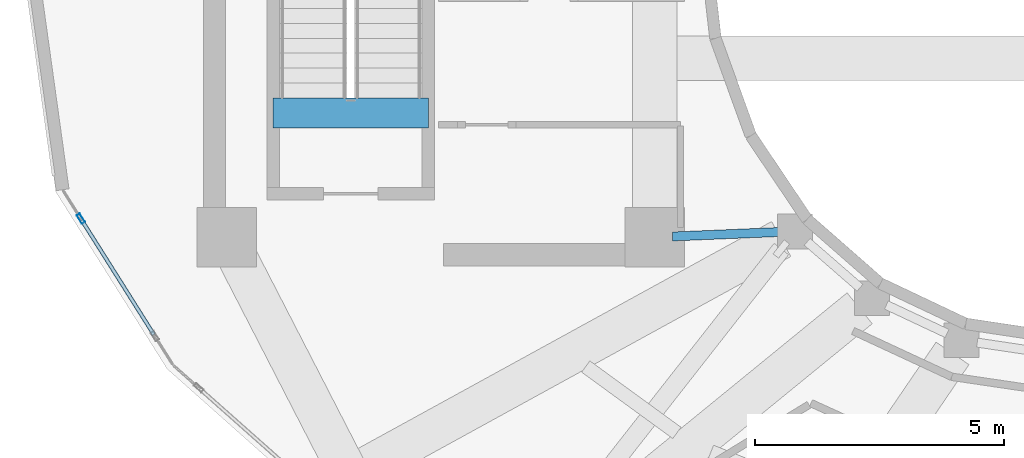
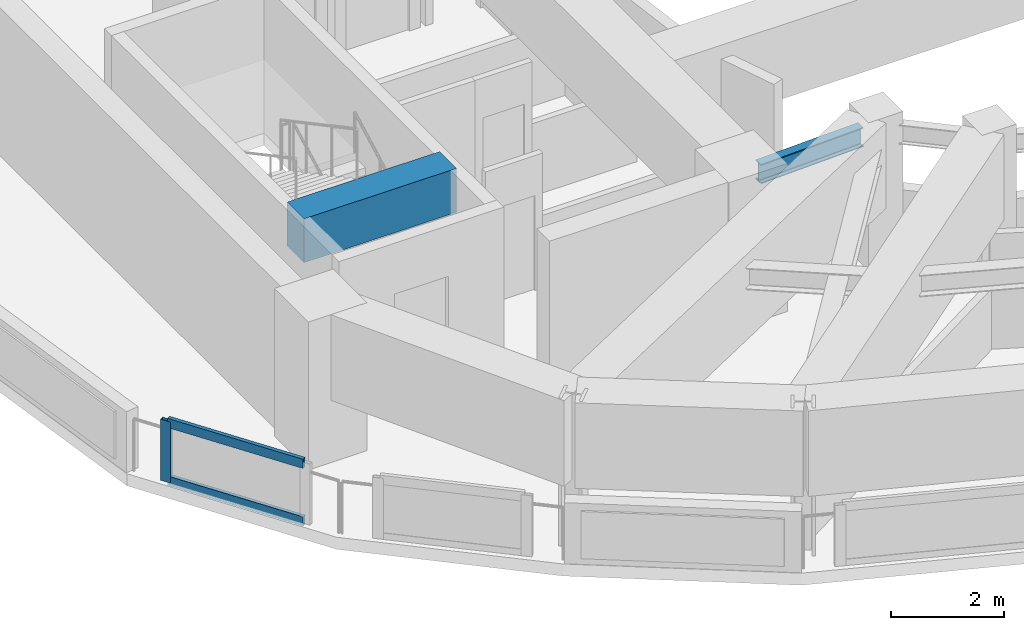
# One storey, part 3 of 18: 3 members, 2 beams, 1 element without a shape of its own.
"""IFC4 building model written with IfcOpenShell, lengths in metres."""

from ifc_helpers import new_model, si_unit, direction, frame, origin, origin_2d, place, context, subcontext, project, spatial, rectangle, hollow_rectangle, i_section, extrude, material, layer, layer_set, material_profile, profile_set, type_object, element, aggregate, save


model = new_model("IFC4")

# Units and contexts
model_context = context("Model", 3, precision=1e-05, world=origin(), true_north=direction((0.0, 1.0)))
body_context = subcontext(model_context, "Body", "Model", "MODEL_VIEW")
ifc_project = project(units=[si_unit("LENGTHUNIT", "METRE"), si_unit("AREAUNIT", "SQUARE_METRE"), si_unit("VOLUMEUNIT", "CUBIC_METRE"), si_unit("PLANEANGLEUNIT", "RADIAN"), si_unit("MASSUNIT", "GRAM", prefix="KILO")], contexts=[model_context])

# Site, building, storey
site_placement = place(None, origin())
site = spatial("IfcSite", under=ifc_project, at=site_placement, CompositionType="ELEMENT")
building_placement = place(site_placement, origin())
building = spatial("IfcBuilding", under=site, at=building_placement, Name="Solvane Sanctuary Tower", CompositionType="ELEMENT")
storey_placement = place(building_placement, frame((0.0, 0.0, 263.60009765625)))
storey = spatial("IfcBuildingStorey", under=building, at=storey_placement, Name="L80", CompositionType="ELEMENT", Elevation=263.60009765625)

# Beams
ifc_material_1 = material(Name="Concrete C70/85", Category="concrete")
ifc_material_profile_1 = material_profile(ifc_material_1, rectangle(XDim=0.60009765625, YDim=0.949951171875, at=origin_2d()), Name="RC600X950")
ifc_profile_set_1 = profile_set([ifc_material_profile_1], Name="Concrete C70/85")
beam_type_1 = type_object("IfcBeamType", Name="Beam B-COUPLE RC600X950", PredefinedType="LINTEL", material=ifc_profile_set_1)
beam_1_placement = place(storey_placement, frame((16.22998046875, 19.399169921875, 2.724853515625), z_axis=(1.0, 0.0, 0.0), x_axis=(0.0, 1.0, 0.0)))
element("IfcBeam", 1, at=beam_1_placement, inside=storey, type_object=beam_type_1, Name="L80 ST-1 Stair Floor Landing Trimmer", PredefinedType="LINTEL", context=body_context, shape_type="SweptSolid", body=[
    extrude(rectangle(XDim=0.60009765625, YDim=0.949951171875, at=origin_2d()), origin(), (0.0, 0.0, 1.0), 3.1201171875),
])
ifc_material_2 = material(Name="Steel ASTM A992 Grade 50", Category="steel")
ifc_material_profile_2 = material_profile(ifc_material_2, i_section(OverallWidth=0.180908203125, OverallDepth=0.4169921875, WebThickness=0.010986328125, FlangeThickness=0.018310546875, FilletRadius=0.012939453125, at=origin_2d()), Name="W16X57")
ifc_profile_set_2 = profile_set([ifc_material_profile_2], Name="Steel ASTM A992 Grade 50")
beam_type_2 = type_object("IfcBeamType", Name="Beam B-ROOF-BM W16X57", PredefinedType="BEAM", material=ifc_profile_set_2)
beam_2_placement = place(storey_placement, frame((24.259765625, 16.9150390625, 2.7294921875), z_axis=(0.999129127803, 0.041725124022, 0.0), x_axis=(-0.041725124022, 0.999129127803, 0.0)))
element("IfcBeam", 2, at=beam_2_placement, inside=storey, type_object=beam_type_2, Name="L80 Inner Light-Well Ring Beam CW2-IC08", PredefinedType="BEAM", context=body_context, shape_type="SweptSolid", body=[
    extrude(i_section(OverallWidth=0.180908203125, OverallDepth=0.4169921875, WebThickness=0.010986328125, FlangeThickness=0.018310546875, FilletRadius=0.012939453125, at=origin_2d()), origin(), (0.0, 0.0, 1.0), 2.1474609375),
])

# Curtain wall, members
ifc_material_3 = material(Name="Anodised Aluminium 6063-T6", Category="aluminium")
ifc_layer = layer(ifc_material_3, 0.219970703125, Name="Anodised Aluminium 6063-T6")
ifc_layer_set = layer_set([ifc_layer], Name="Anodised Aluminium 6063-T6")
curtain_wall_type = type_object("IfcCurtainWallType", Name="Curtain Wall CW-CROWN", PredefinedType="NOTDEFINED", material=ifc_layer_set)
curtain_wall_placement = place(storey_placement, origin())
curtain_wall = element("IfcCurtainWall", 3, at=curtain_wall_placement, inside=storey, type_object=curtain_wall_type, Name="L80 Crown Fritted Lantern Curtain Wall 13", PredefinedType="NOTDEFINED")
ifc_material_profile_3 = material_profile(ifc_material_3, hollow_rectangle(XDim=0.074951171875, YDim=0.199951171875, WallThickness=0.00390625, at=origin_2d()), Name="ALU200X75X4")
ifc_profile_set_3 = profile_set([ifc_material_profile_3], Name="Anodised Aluminium 6063-T6")
member_type_1 = type_object("IfcMemberType", Name="Member M-CW-MUL-1 ALU200X75X4", PredefinedType="MULLION", material=ifc_profile_set_3)
member_1_placement = place(storey_placement, frame((12.3623046875, 17.273193359375, 0.0), z_axis=(0.0, 0.0, 1.0), x_axis=(0.846086642635, 0.533045395022, 0.0)))
member_1 = element("IfcMember", 4, at=member_1_placement, type_object=member_type_1, Name="CW-CROWN mullion 1", PredefinedType="MULLION", context=body_context, shape_type="SweptSolid", body=[
    extrude(hollow_rectangle(XDim=0.074951171875, YDim=0.199951171875, WallThickness=0.00390625, at=origin_2d()), origin(), (0.0, 0.0, 1.0), 1.31982421875),
])
ifc_material_profile_4 = material_profile(ifc_material_3, hollow_rectangle(XDim=0.074951171875, YDim=0.199951171875, WallThickness=0.00390625, at=origin_2d()), Name="ALU200X75X4")
ifc_profile_set_4 = profile_set([ifc_material_profile_4], Name="Anodised Aluminium 6063-T6")
member_type_2 = type_object("IfcMemberType", Name="Member M-CW-TRN-2 ALU200X75X4", PredefinedType="USERDEFINED", material=ifc_profile_set_4)
member_2_placement = place(storey_placement, frame((12.38232421875, 17.241455078125, 0.037353515625), z_axis=(0.533080100401, -0.846064776808, 0.0), x_axis=(0.846064776808, 0.533080100401, 0.0)))
member_2 = element("IfcMember", 5, at=member_2_placement, type_object=member_type_2, Name="CW-CROWN transom 1.1", ObjectType="TRANSOM", PredefinedType="USERDEFINED", context=body_context, shape_type="SweptSolid", body=[
    extrude(hollow_rectangle(XDim=0.074951171875, YDim=0.199951171875, WallThickness=0.00390625, at=origin_2d()), origin(), (0.0, 0.0, 1.0), 2.7177734375),
])
member_3_placement = place(storey_placement, frame((12.38232421875, 17.241455078125, 1.282470703125), z_axis=(0.533080100401, -0.846064776808, 0.0), x_axis=(0.846064776808, 0.533080100401, 0.0)))
member_3 = element("IfcMember", 6, at=member_3_placement, type_object=member_type_2, Name="CW-CROWN transom 1.2", ObjectType="TRANSOM", PredefinedType="USERDEFINED", context=body_context, shape_type="SweptSolid", body=[
    extrude(hollow_rectangle(XDim=0.074951171875, YDim=0.199951171875, WallThickness=0.00390625, at=origin_2d()), origin(), (0.0, 0.0, 1.0), 2.7177734375),
])
aggregate(curtain_wall, [member_1, member_2, member_3])

save(model, "model.ifc")
